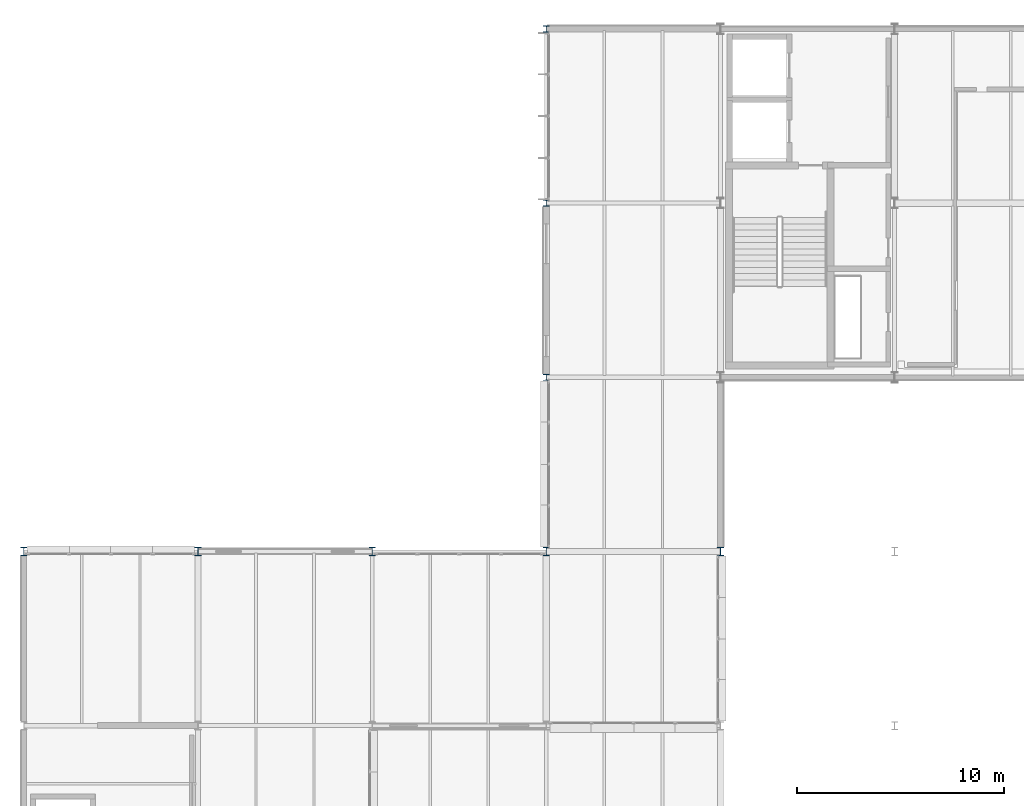
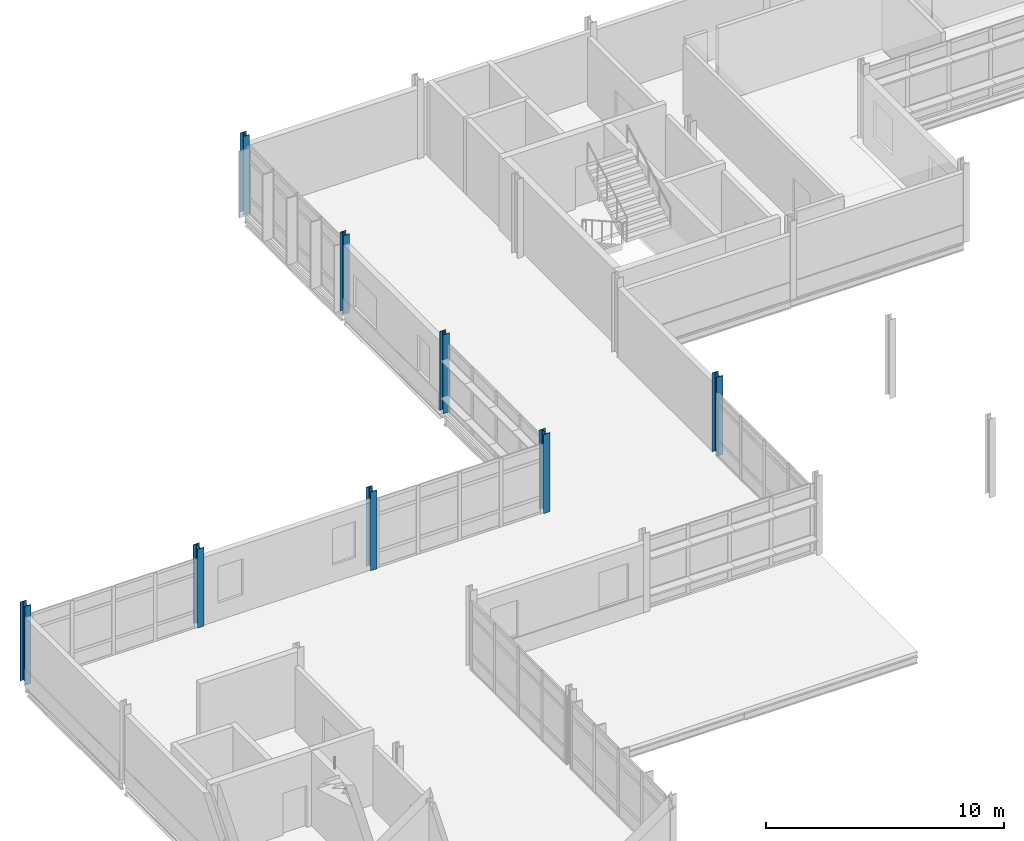
# One storey, part 6 of 151: 8 columns.
"""IFC4 building model written with IfcOpenShell, lengths in metres."""

from ifc_helpers import new_model, si_unit, direction, frame, origin, origin_2d, place, context, subcontext, project, spatial, i_section, extrude, material, material_profile, profile_set, type_object, element, save


model = new_model("IFC4")

# Units and contexts
model_context = context("Model", 3, precision=1e-05, world=origin(), true_north=direction((0.0, 1.0)))
body_context = subcontext(model_context, "Body", "Model", "MODEL_VIEW")
ifc_project = project(units=[si_unit("LENGTHUNIT", "METRE"), si_unit("AREAUNIT", "SQUARE_METRE"), si_unit("VOLUMEUNIT", "CUBIC_METRE"), si_unit("PLANEANGLEUNIT", "RADIAN"), si_unit("MASSUNIT", "GRAM", prefix="KILO")], contexts=[model_context])

# Site, building, storey
site_placement = place(None, origin())
site = spatial("IfcSite", under=ifc_project, at=site_placement, CompositionType="ELEMENT")
building_placement = place(site_placement, origin())
building = spatial("IfcBuilding", under=site, at=building_placement, Name="Mersafa Astral City Hall", CompositionType="ELEMENT")
storey_placement = place(building_placement, frame((0.0, 0.0, 9.89990234375)))
storey = spatial("IfcBuildingStorey", under=building, at=storey_placement, Name="L02", CompositionType="ELEMENT", Elevation=9.89990234375)

# Columns
ifc_material = material(Name="Steel S355", Category="steel")
ifc_material_profile_1 = material_profile(ifc_material, i_section(OverallWidth=0.300048828125, OverallDepth=0.300048828125, WebThickness=0.010986328125, FlangeThickness=0.01904296875, FilletRadius=0.027099609375, at=origin_2d()), Name="HEB 300")
ifc_profile_set_1 = profile_set([ifc_material_profile_1], Name="Steel S355")
column_type_1 = type_object("IfcColumnType", Name="STR-COL-HEB300", PredefinedType="COLUMN", material=ifc_profile_set_1)
for number, where, z_axis, x_axis, name in (
    (1, (33.60009765625, 109.199951171875, 0.0), (0.0, 0.0, 1.0), (1.0, 0.0, 0.0), "L02 Structural column G-04-13"),
    (2, (33.60009765625, 117.60009765625, 0.0), (0.0, 0.0, 1.0), (1.0, 0.0, 0.0), "L02 Structural column G-04-14"),
    (3, (33.60009765625, 126.0, 0.0), (0.0, 0.0, 1.0), (1.0, 0.0, 0.0), "L02 Structural column G-04-15"),
):
    element("IfcColumn", number, at=place(storey_placement, frame(where, z_axis=z_axis, x_axis=x_axis)), inside=storey, type_object=column_type_1, Name=name, PredefinedType="COLUMN", context=body_context, shape_type="SweptSolid", body=[
        extrude(i_section(OverallWidth=0.300048828125, OverallDepth=0.300048828125, WebThickness=0.010986328125, FlangeThickness=0.01904296875, FilletRadius=0.027099609375, at=origin_2d()), origin(), (0.0, 0.0, 1.0), 4.050048828125),
    ])
ifc_material_profile_2 = material_profile(ifc_material, i_section(OverallWidth=0.300048828125, OverallDepth=0.39990234375, WebThickness=0.013427734375, FlangeThickness=0.02392578125, FilletRadius=0.027099609375, at=origin_2d()), Name="HEB 400")
ifc_profile_set_2 = profile_set([ifc_material_profile_2], Name="Steel S355")
column_type_2 = type_object("IfcColumnType", Name="STR-COL-HEB400", PredefinedType="COLUMN", material=ifc_profile_set_2)
for number, where, z_axis, x_axis, name in (
    (4, (8.39990234375, 100.800048828125, 0.0), (0.0, 0.0, 1.0), (1.0, 0.0, 0.0), "L02 Structural column G-01-12"),
    (5, (16.800048828125, 100.800048828125, 0.0), (0.0, 0.0, 1.0), (1.0, 0.0, 0.0), "L02 Structural column G-02-12"),
    (6, (25.199951171875, 100.800048828125, 0.0), (0.0, 0.0, 1.0), (1.0, 0.0, 0.0), "L02 Structural column G-03-12"),
    (7, (33.60009765625, 100.800048828125, 0.0), (0.0, 0.0, 1.0), (1.0, 0.0, 0.0), "L02 Structural column G-04-12"),
    (8, (42.0, 100.800048828125, 0.0), (0.0, 0.0, 1.0), (1.0, 0.0, 0.0), "L02 Structural column G-05-12"),
):
    element("IfcColumn", number, at=place(storey_placement, frame(where, z_axis=z_axis, x_axis=x_axis)), inside=storey, type_object=column_type_2, Name=name, PredefinedType="COLUMN", context=body_context, shape_type="SweptSolid", body=[
        extrude(i_section(OverallWidth=0.300048828125, OverallDepth=0.39990234375, WebThickness=0.013427734375, FlangeThickness=0.02392578125, FilletRadius=0.027099609375, at=origin_2d()), origin(), (0.0, 0.0, 1.0), 4.050048828125),
    ])

save(model, "model.ifc")
